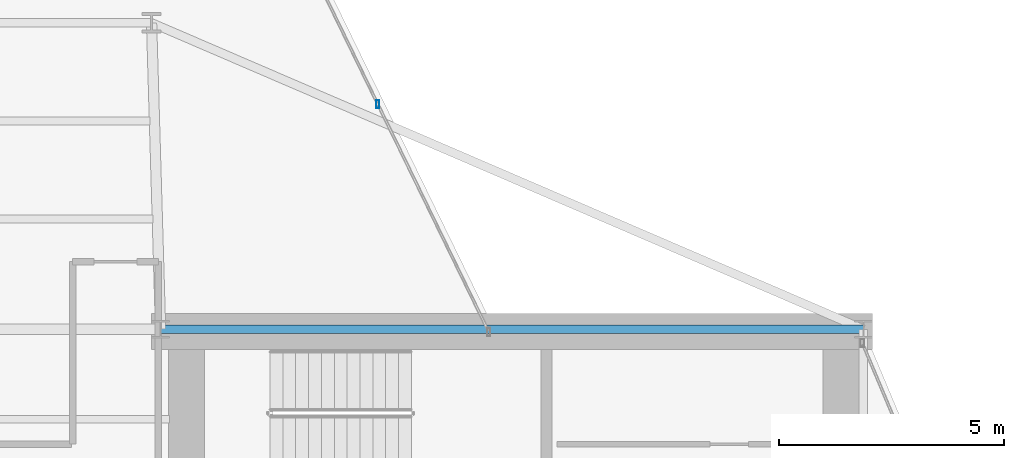
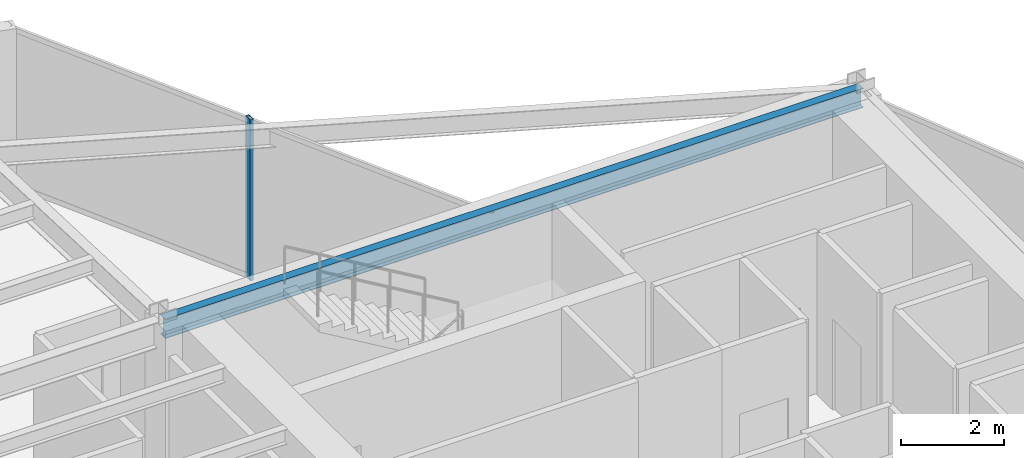
# One storey, part 15 of 25: 1 beam, 1 member, 1 element without a shape of its own.
"""IFC4 building model written with IfcOpenShell, lengths in metres."""

from ifc_helpers import new_model, si_unit, direction, frame, origin, origin_2d, place, context, subcontext, project, spatial, hollow_rectangle, i_section, extrude, material, layer, layer_set, material_profile, profile_set, type_object, element, aggregate, save


model = new_model("IFC4")

# Units and contexts
model_context = context("Model", 3, precision=1e-05, world=origin(), true_north=direction((0.0, 1.0)))
body_context = subcontext(model_context, "Body", "Model", "MODEL_VIEW")
ifc_project = project(units=[si_unit("LENGTHUNIT", "METRE"), si_unit("AREAUNIT", "SQUARE_METRE"), si_unit("VOLUMEUNIT", "CUBIC_METRE"), si_unit("PLANEANGLEUNIT", "RADIAN"), si_unit("MASSUNIT", "GRAM", prefix="KILO")], contexts=[model_context])

# Site, building, storey
site_placement = place(None, origin())
site = spatial("IfcSite", under=ifc_project, at=site_placement, CompositionType="ELEMENT")
building_placement = place(site_placement, origin())
building = spatial("IfcBuilding", under=site, at=building_placement, Name="Veymaron Broadcast Tower", CompositionType="ELEMENT")
storey_placement = place(building_placement, frame((0.0, 0.0, 116.85009765625)))
storey = spatial("IfcBuildingStorey", under=building, at=storey_placement, Name="L26", CompositionType="ELEMENT", Elevation=116.85009765625)

# Beam
ifc_material_1 = material(Name="Structural steel ASTM A992 Gr 50", Category="steel")
ifc_material_profile_1 = material_profile(ifc_material_1, i_section(OverallWidth=0.19091796875, OverallDepth=0.4599609375, WebThickness=0.010009765625, FlangeThickness=0.01611328125, at=origin_2d()), Name="W460X82")
ifc_profile_set_1 = profile_set([ifc_material_profile_1], Name="Structural steel ASTM A992 Gr 50")
beam_type = type_object("IfcBeamType", Name="BM-SP1", PredefinedType="SPANDREL", material=ifc_profile_set_1)
beam_placement = place(storey_placement, frame((39.0, 32.0, 3.579833984375), z_axis=(1.0, 0.0, 0.0), x_axis=(0.0, 1.0, 0.0)))
element("IfcBeam", 1, at=beam_placement, inside=storey, type_object=beam_type, Name="L26 primary structural floor girder", PredefinedType="SPANDREL", context=body_context, shape_type="SweptSolid", body=[
    extrude(i_section(OverallWidth=0.19091796875, OverallDepth=0.4599609375, WebThickness=0.010009765625, FlangeThickness=0.01611328125, at=origin_2d()), origin(), (0.0, 0.0, 1.0), 15.60009765625),
])

# Curtain wall, member
ifc_material_2 = material(Name="Anodised aluminium AA 6063-T6 and laminated low-E dark glass", Category="aluminium")
ifc_layer = layer(ifc_material_2, 0.179931640625)
ifc_layer_set = layer_set([ifc_layer], Name="Anodised aluminium AA 6063-T6 and laminated low-E dark glass")
curtain_wall_type = type_object("IfcCurtainWallType", Name="CW-SYS-03", PredefinedType="NOTDEFINED", material=ifc_layer_set)
curtain_wall_placement = place(storey_placement, origin())
curtain_wall = element("IfcCurtainWall", 2, at=curtain_wall_placement, inside=storey, type_object=curtain_wall_type, Name="L26 dark-glass curtain wall CW-L26-E5-1", PredefinedType="NOTDEFINED")
ifc_material_3 = material(Name="Anodised aluminium AA 6063-T6", Category="aluminium")
ifc_material_profile_2 = material_profile(ifc_material_3, hollow_rectangle(XDim=0.074951171875, YDim=0.179931640625, WallThickness=0.0048828125, at=origin_2d()), Name="AL180X75X5")
ifc_profile_set_2 = profile_set([ifc_material_profile_2], Name="Anodised aluminium AA 6063-T6")
member_type = type_object("IfcMemberType", Name="CW-MUL-02", PredefinedType="MULLION", material=ifc_profile_set_2)
member_placement = place(storey_placement, frame((43.8203125, 36.998779296875, 0.0), z_axis=(0.0, 0.0, 1.0), x_axis=(1.0, 0.0, 0.0)))
member = element("IfcMember", 3, at=member_placement, type_object=member_type, Name="CW-L26-E5-1 mullion 1", PredefinedType="MULLION", context=body_context, shape_type="SweptSolid", body=[
    extrude(hollow_rectangle(XDim=0.074951171875, YDim=0.179931640625, WallThickness=0.0048828125, at=origin_2d()), origin(), (0.0, 0.0, 1.0), 3.809814453125),
])
aggregate(curtain_wall, [member])

save(model, "model.ifc")
